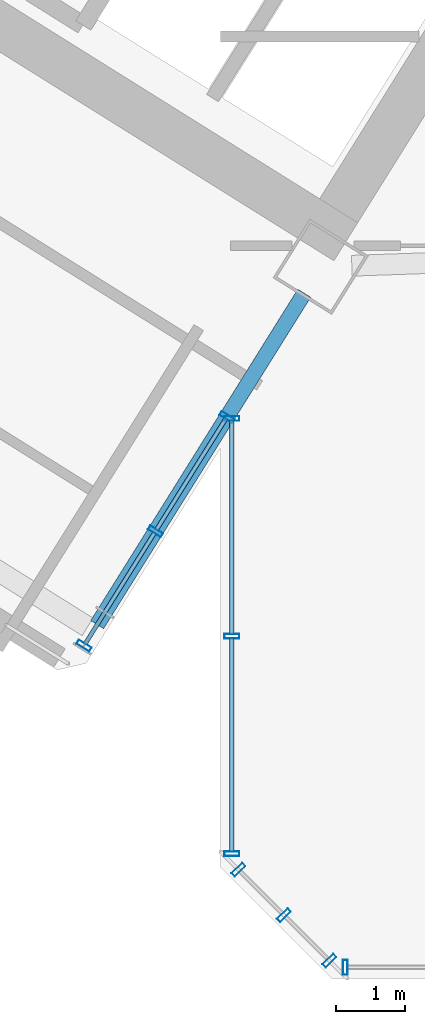
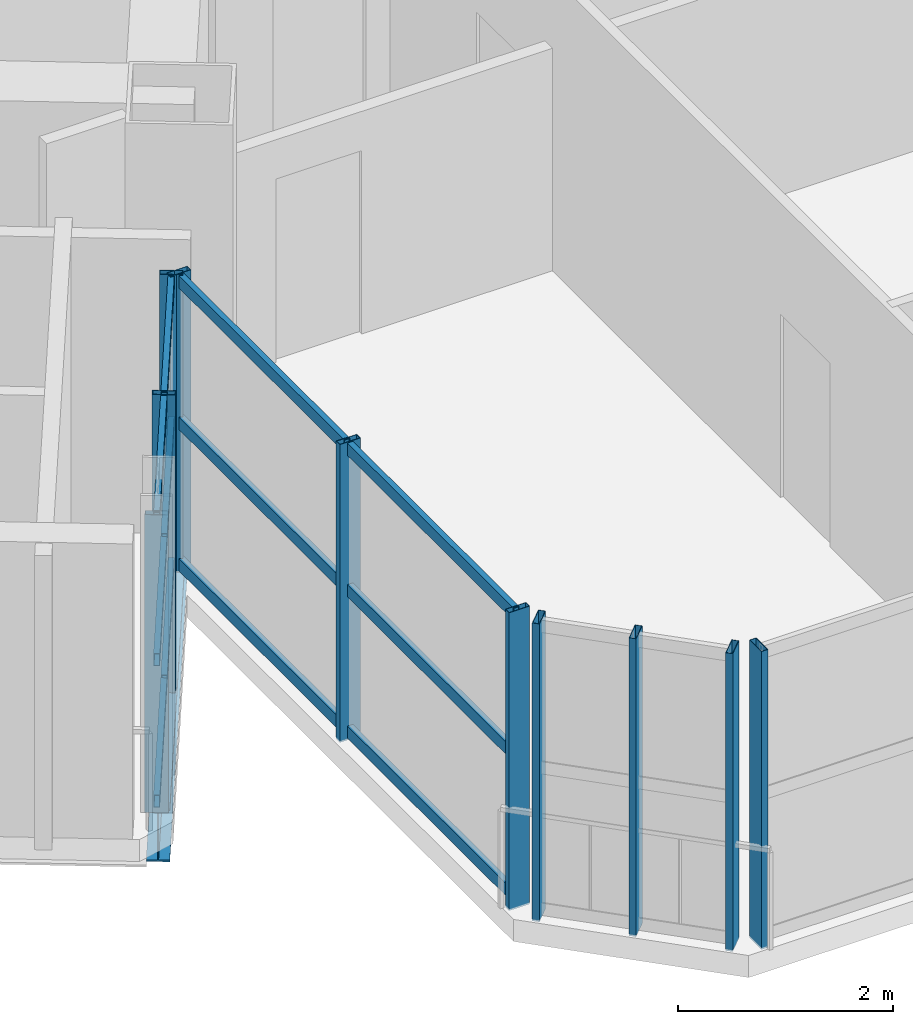
# One storey, part 5 of 25: 22 members, 1 beam, 4 elements without a shape of their own.
"""IFC4 building model written with IfcOpenShell, lengths in metres."""

import ifcopenshell
import ifcopenshell.guid

model = None  # the IFC model being written
_history = None  # IfcOwnerHistory: only IFC2X3 demands one
_inside = {}  # id of a spatial element -> (the spatial element, [elements in it])
_under = {}  # id of a project, library or spatial element -> (it, [spatial elements below it])
_declared = {}  # id of a project -> (the project, [libraries it declares])
_typed = {}  # id of a type object -> (the type object, [elements of that type])
_made_of = {}  # id of a material, layer set ... -> (it, [elements and type objects made of it])


def new_model(schema):
    """Start an empty IFC model of exactly this schema.

    Asked for "IFC4X3", IfcOpenShell would pick the latest addendum, in which some entities
    have other attributes; the version numbers below select the first issue.
    IFC2X3 requires an IfcOwnerHistory on every rooted entity: one is made here for all.
    """
    global model, _history
    if schema == "IFC4X3":
        model = ifcopenshell.file(schema_version=(4, 3, 0, 0))
    else:
        model = ifcopenshell.file(schema=schema)
    _inside.clear()
    _under.clear()
    _declared.clear()
    _typed.clear()
    _made_of.clear()
    _history = None
    if model.schema == "IFC2X3":
        org = make("IfcOrganization", Name="unknown")
        user = make(
            "IfcPersonAndOrganization",
            ThePerson=make("IfcPerson", FamilyName="unknown"),
            TheOrganization=org,
        )
        app = make(
            "IfcApplication",
            ApplicationDeveloper=org,
            Version="unknown",
            ApplicationFullName="unknown",
            ApplicationIdentifier="unknown",
        )
        _history = make(
            "IfcOwnerHistory",
            OwningUser=user,
            OwningApplication=app,
            ChangeAction="ADDED",
            CreationDate=0,
        )
    return model


def make(cls, **values):
    """One entity of the class cls with the attributes given. An attribute that is None is left unset."""
    return model.create_entity(
        cls, **{name: value for name, value in values.items() if value is not None}
    )


def rooted(cls, **values):
    """An entity with a GlobalId (a new one), such as an element, a storey or a relation."""
    return make(cls, GlobalId=ifcopenshell.guid.new(), OwnerHistory=_history, **values)


def si_unit(unit_type, name, prefix=None):
    """IfcSIUnit, for example si_unit("LENGTHUNIT", "METRE", prefix="MILLI")."""
    return make("IfcSIUnit", UnitType=unit_type, Prefix=prefix, Name=name)


def assignment(units):
    """IfcUnitAssignment: the units of a project."""
    return None if units is None else make("IfcUnitAssignment", Units=units)


def point(xyz):
    """IfcCartesianPoint."""
    return None if xyz is None else make("IfcCartesianPoint", Coordinates=xyz)


def direction(xyz):
    """IfcDirection."""
    return None if xyz is None else make("IfcDirection", DirectionRatios=xyz)


def frame(location, z_axis=None, x_axis=None):
    """IfcAxis2Placement3D, a coordinate frame: its origin and axes. An axis left out is left unset."""
    return make(
        "IfcAxis2Placement3D",
        Location=point(location),
        Axis=direction(z_axis),
        RefDirection=direction(x_axis),
    )


def frame_2d(location, x_axis=None):
    """IfcAxis2Placement2D, a coordinate frame in the plane: its origin and x axis."""
    return make(
        "IfcAxis2Placement2D", Location=point(location), RefDirection=direction(x_axis)
    )


def origin():
    """The frame at (0, 0, 0) with its axes left unset."""
    return frame((0.0, 0.0, 0.0))


def origin_2d():
    """The frame at (0, 0) in the plane with its x axis left unset."""
    return frame_2d((0.0, 0.0))


def place(relative_to, where):
    """IfcLocalPlacement: puts the frame where relative to a parent placement (None: the world)."""
    return make(
        "IfcLocalPlacement", PlacementRelTo=relative_to, RelativePlacement=where
    )


def context(
    kind, dimensions, precision=None, world=None, true_north=None, identifier=None
):
    """IfcGeometricRepresentationContext, for example the 3D "Model" context."""
    return make(
        "IfcGeometricRepresentationContext",
        ContextIdentifier=identifier,
        ContextType=kind,
        CoordinateSpaceDimension=dimensions,
        Precision=precision,
        WorldCoordinateSystem=world,
        TrueNorth=true_north,
    )


def subcontext(parent, identifier, kind, view, scale=None):
    """IfcGeometricRepresentationSubContext, for example "Body" below "Model"."""
    return make(
        "IfcGeometricRepresentationSubContext",
        ContextIdentifier=identifier,
        ContextType=kind,
        ParentContext=parent,
        TargetScale=scale,
        TargetView=view,
    )


def project(units=None, contexts=None):
    """IfcProject with its units and contexts."""
    return rooted(
        "IfcProject",
        Name="project",
        RepresentationContexts=contexts,
        UnitsInContext=assignment(units),
    )


def spatial(cls, under=None, at=None, **own):
    """A site, building, storey or space (cls), placed at a placement, below another one or the project."""
    s = rooted(cls, ObjectPlacement=at, **own)
    if under is not None:
        _under.setdefault(under.id(), (under, []))[1].append(s)
    return s


def profile(cls, at=None, kind="AREA", **sizes):
    """A parametric profile (cls). Its sizes go by their IFC names, for example OverallWidth=200.0."""
    return make(cls, ProfileType=kind, Position=at, **sizes)


def hollow_rectangle(**sizes):
    """IfcRectangleHollowProfileDef."""
    return profile("IfcRectangleHollowProfileDef", **sizes)


def i_section(**sizes):
    """IfcIShapeProfileDef."""
    return profile("IfcIShapeProfileDef", **sizes)


def extrude(swept, where, along, depth):
    """IfcExtrudedAreaSolid: the profile swept, set in the frame where, extruded along a direction by depth."""
    return make(
        "IfcExtrudedAreaSolid",
        SweptArea=swept,
        Position=where,
        ExtrudedDirection=direction(along),
        Depth=depth,
    )


def shape(context_of_items, identifier, shape_type, items):
    """IfcShapeRepresentation: the items that make up one representation, for example the "Body"."""
    return make(
        "IfcShapeRepresentation",
        ContextOfItems=context_of_items,
        RepresentationIdentifier=identifier,
        RepresentationType=shape_type,
        Items=items,
    )


def source(mapping_origin, context_of_items, identifier, shape_type, items):
    """IfcRepresentationMap: a shape defined once, which mapped items show again and again."""
    return make(
        "IfcRepresentationMap",
        MappingOrigin=mapping_origin,
        MappedRepresentation=shape(context_of_items, identifier, shape_type, items),
    )


def transform(
    local_origin,
    x_axis=None,
    y_axis=None,
    z_axis=None,
    scale=None,
    scale2=None,
    scale3=None,
    uniform=True,
):
    """IfcCartesianTransformationOperator3D, or its non-uniform kind. x_axis, y_axis, z_axis: its Axis1, 2, 3."""
    if uniform:
        return make(
            "IfcCartesianTransformationOperator3D",
            Axis1=direction(x_axis),
            Axis2=direction(y_axis),
            LocalOrigin=point(local_origin),
            Scale=scale,
            Axis3=direction(z_axis),
        )
    return make(
        "IfcCartesianTransformationOperator3DnonUniform",
        Axis1=direction(x_axis),
        Axis2=direction(y_axis),
        LocalOrigin=point(local_origin),
        Scale=scale,
        Axis3=direction(z_axis),
        Scale2=scale2,
        Scale3=scale3,
    )


def mapped(mapping_source, mapping_target):
    """IfcMappedItem: shows the shape of a source again, moved by a transform."""
    return make(
        "IfcMappedItem", MappingSource=mapping_source, MappingTarget=mapping_target
    )


def material(Name=None, Category=None):
    """IfcMaterial."""
    return make("IfcMaterial", Name=Name, Category=Category)


def material_profile(
    of_material, cross_section, Name=None, Category=None, Priority=None
):
    """IfcMaterialProfile: a cross section and its material."""
    return make(
        "IfcMaterialProfile",
        Name=Name,
        Material=of_material,
        Profile=cross_section,
        Priority=Priority,
        Category=Category,
    )


def profile_set(profiles, Name=None, composite=None):
    """IfcMaterialProfileSet."""
    return make(
        "IfcMaterialProfileSet",
        Name=Name,
        MaterialProfiles=profiles,
        CompositeProfile=composite,
    )


def made_of(thing, what):
    """Note that an element or type object is made of a material, layer set ...; save() writes the relation."""
    if what is not None:
        _made_of.setdefault(what.id(), (what, []))[1].append(thing)
    return thing


def type_object(cls, material=None, **own):
    """A type object (cls), such as IfcWallType, which elements share."""
    return made_of(rooted(cls, **own), material)


def element(
    cls,
    number,
    at=None,
    inside=None,
    cuts=None,
    type_object=None,
    material=None,
    context=None,
    identifier="Body",
    shape_type=None,
    held_by="IfcProductDefinitionShape",
    body=None,
    shapes=None,
    **own,
):
    """One element of the class cls, such as IfcWall. Its Tag is "e" and its number.

    at: its placement. inside: the storey or other place that contains it. cuts: it is an
    opening in that element (IfcRelVoidsElement). A single representation is given by context,
    identifier, shape_type and body (its items); several are given by shapes. held_by: the class
    of the entity that holds the representations. save() writes the other relations.
    """
    e = rooted(cls, Tag="e%d" % number, ObjectPlacement=at, **own)
    if body is not None:
        shapes = [shape(context, identifier, shape_type, body)]
    if shapes is not None:
        e.Representation = make(held_by, Representations=shapes)
    if inside is not None:
        _inside.setdefault(inside.id(), (inside, []))[1].append(e)
    if cuts is not None:
        rooted(
            "IfcRelVoidsElement", RelatingBuildingElement=cuts, RelatedOpeningElement=e
        )
    if type_object is not None:
        _typed.setdefault(type_object.id(), (type_object, []))[1].append(e)
    return made_of(e, material)


def aggregate(whole, parts):
    """IfcRelAggregates: a whole, such as a stair, and the parts it consists of."""
    return rooted("IfcRelAggregates", RelatingObject=whole, RelatedObjects=parts)


def save(model, path):
    """Write the relations noted so far, then the file.

    IfcRelAggregates (storeys below a building ...), IfcRelContainedInSpatialStructure (elements
    in a storey), IfcRelDefinesByType, IfcRelAssociatesMaterial and IfcRelDeclares: one each for
    every whole, place, type object, material and project.
    """
    for whole, parts in _under.values():
        aggregate(whole, parts)
    for where, things in _inside.values():
        rooted(
            "IfcRelContainedInSpatialStructure",
            RelatedElements=things,
            RelatingStructure=where,
        )
    for kind, things in _typed.values():
        rooted("IfcRelDefinesByType", RelatedObjects=things, RelatingType=kind)
    for what, things in _made_of.values():
        rooted("IfcRelAssociatesMaterial", RelatedObjects=things, RelatingMaterial=what)
    for by, libraries in _declared.values():
        rooted("IfcRelDeclares", RelatingContext=by, RelatedDefinitions=libraries)
    model.write(path)


model = new_model("IFC4")

# Units and contexts
model_context = context("Model", 3, precision=1e-05, world=origin(), true_north=direction((0.0, 1.0)))
body_context = subcontext(model_context, "Body", "Model", "MODEL_VIEW")
ifc_project = project(units=[si_unit("LENGTHUNIT", "METRE"), si_unit("AREAUNIT", "SQUARE_METRE"), si_unit("VOLUMEUNIT", "CUBIC_METRE"), si_unit("PLANEANGLEUNIT", "RADIAN"), si_unit("MASSUNIT", "GRAM", prefix="KILO")], contexts=[model_context])

# Site, building, storey
site_placement = place(None, origin())
site = spatial("IfcSite", under=ifc_project, at=site_placement, CompositionType="ELEMENT")
building_placement = place(site_placement, origin())
building = spatial("IfcBuilding", under=site, at=building_placement, Name="Tlacorven Tower", CompositionType="ELEMENT")
storey_placement = place(building_placement, frame((0.0, 0.0, 52.800048828125)))
storey = spatial("IfcBuildingStorey", under=building, at=storey_placement, Name="L13", CompositionType="ELEMENT", Elevation=52.800048828125)

# Beam
ifc_material_1 = material(Name="Steel S355J2", Category="steel")
ifc_material_profile_1 = material_profile(ifc_material_1, i_section(OverallWidth=0.219970703125, OverallDepth=0.60009765625, WebThickness=0.011962890625, FlangeThickness=0.01904296875, at=origin_2d()), Name="IPE 600")
ifc_profile_set_1 = profile_set([ifc_material_profile_1], Name="Steel S355J2")
beam_type = type_object("IfcBeamType", Name="BM-TWR-600", PredefinedType="BEAM", material=ifc_profile_set_1)
shared_shape_1 = source(origin(), body_context, "Body", "SweptSolid", [
    extrude(i_section(OverallWidth=0.219970703125, OverallDepth=0.60009765625, WebThickness=0.011962890625, FlangeThickness=0.01904296875, at=origin_2d()), origin(), (0.0, 0.0, 1.0), 5.64990234375),
])
beam_placement = place(storey_placement, frame((32.8076171875, 11.705322265625, -0.550048828125), z_axis=(-0.529897948462, -0.848061415356, 0.0), x_axis=(0.848061415356, -0.529897948462, 0.0)))
element("IfcBeam", 1, at=beam_placement, inside=storey, type_object=beam_type, Name="L13 beam BM-L13-WT1-2", PredefinedType="BEAM", context=body_context, shape_type="MappedRepresentation", body=[
    mapped(shared_shape_1, transform((0.0, 0.0, 0.0), scale=1.0)),
])

# Curtain wall, members
ifc_material_2 = material(Name="Dark solar low-E double glazing in aluminium frame", Category="aluminium")
curtain_wall_type = type_object("IfcCurtainWallType", Name="CW-TWR-LOW", PredefinedType="USERDEFINED", material=ifc_material_2)
curtain_wall_1_placement = place(storey_placement, origin())
curtain_wall_1 = element("IfcCurtainWall", 2, at=curtain_wall_1_placement, inside=storey, type_object=curtain_wall_type, Name="L13 CW-TWR-LOW Curtain Wall 72", ObjectType="UNITISED CURTAIN WALL", PredefinedType="USERDEFINED")
ifc_material_3 = material(Name="Aluminium 6063-T6 anodised", Category="aluminium")
ifc_material_profile_2 = material_profile(ifc_material_3, hollow_rectangle(XDim=0.06005859375, YDim=0.139892578125, WallThickness=0.00390625, at=origin_2d()), Name="ALU TRANSOM 60X140")
ifc_profile_set_2 = profile_set([ifc_material_profile_2], Name="Aluminium 6063-T6 anodised")
member_type_1 = type_object("IfcMemberType", Name="CWT-02", PredefinedType="USERDEFINED", material=ifc_profile_set_2)
shared_shape_2 = source(origin(), body_context, "Body", "SweptSolid", [
    extrude(hollow_rectangle(XDim=0.06005859375, YDim=0.139892578125, WallThickness=0.00390625, at=origin_2d()), origin(), (0.0, 0.0, 1.0), 3.10009765625),
])
member_1_placement = place(storey_placement, frame((31.760009765625, 3.624267578125, 0.070068359375), z_axis=(0.0, 1.0, 0.0), x_axis=(-1.0, 0.0, 0.0)))
member_1 = element("IfcMember", 3, at=member_1_placement, type_object=member_type_1, Name="CW-L13-072 Transom 1", ObjectType="TRANSOM", PredefinedType="USERDEFINED", context=body_context, shape_type="MappedRepresentation", body=[
    mapped(shared_shape_2, transform((0.0, 0.0, 0.0), scale=1.0)),
])
member_2_placement = place(storey_placement, frame((31.760009765625, 3.624267578125, 1.675048828125), z_axis=(0.0, 1.0, 0.0), x_axis=(-1.0, 0.0, 0.0)))
member_2 = element("IfcMember", 4, at=member_2_placement, type_object=member_type_1, Name="CW-L13-072 Transom 2", ObjectType="TRANSOM", PredefinedType="USERDEFINED", context=body_context, shape_type="MappedRepresentation", body=[
    mapped(shared_shape_2, transform((0.0, 0.0, 0.0), scale=1.0)),
])
member_3_placement = place(storey_placement, frame((31.760009765625, 3.624267578125, 3.280029296875), z_axis=(0.0, 1.0, 0.0), x_axis=(-1.0, 0.0, 0.0)))
member_3 = element("IfcMember", 5, at=member_3_placement, type_object=member_type_1, Name="CW-L13-072 Transom 3", ObjectType="TRANSOM", PredefinedType="USERDEFINED", context=body_context, shape_type="MappedRepresentation", body=[
    mapped(shared_shape_2, transform((0.0, 0.0, 0.0), scale=1.0)),
])
member_4_placement = place(storey_placement, frame((31.760009765625, 6.7705078125, 0.070068359375), z_axis=(0.0, 1.0, 0.0), x_axis=(-1.0, 0.0, 0.0)))
member_4 = element("IfcMember", 6, at=member_4_placement, type_object=member_type_1, Name="CW-L13-072 Transom 4", ObjectType="TRANSOM", PredefinedType="USERDEFINED", context=body_context, shape_type="MappedRepresentation", body=[
    mapped(shared_shape_2, transform((0.0, 0.0, 0.0), scale=1.0)),
])
member_5_placement = place(storey_placement, frame((31.760009765625, 6.7705078125, 1.675048828125), z_axis=(0.0, 1.0, 0.0), x_axis=(-1.0, 0.0, 0.0)))
member_5 = element("IfcMember", 7, at=member_5_placement, type_object=member_type_1, Name="CW-L13-072 Transom 5", ObjectType="TRANSOM", PredefinedType="USERDEFINED", context=body_context, shape_type="MappedRepresentation", body=[
    mapped(shared_shape_2, transform((0.0, 0.0, 0.0), scale=1.0)),
])
member_6_placement = place(storey_placement, frame((31.760009765625, 6.7705078125, 3.280029296875), z_axis=(0.0, 1.0, 0.0), x_axis=(-1.0, 0.0, 0.0)))
member_6 = element("IfcMember", 8, at=member_6_placement, type_object=member_type_1, Name="CW-L13-072 Transom 6", ObjectType="TRANSOM", PredefinedType="USERDEFINED", context=body_context, shape_type="MappedRepresentation", body=[
    mapped(shared_shape_2, transform((0.0, 0.0, 0.0), scale=1.0)),
])

curtain_wall_2_placement = place(storey_placement, origin())
curtain_wall_2 = element("IfcCurtainWall", 9, at=curtain_wall_2_placement, inside=storey, type_object=curtain_wall_type, Name="L13 CW-TWR-LOW Curtain Wall 73", ObjectType="UNITISED CURTAIN WALL", PredefinedType="USERDEFINED")
shared_shape_3 = source(origin(), body_context, "Body", "SweptSolid", [
    extrude(hollow_rectangle(XDim=0.06005859375, YDim=0.139892578125, WallThickness=0.00390625, at=origin_2d()), origin(), (0.0, 0.0, 1.0), 1.902587890625),
])
member_7_placement = place(storey_placement, frame((31.67626953125, 9.894775390625, 0.070068359375), z_axis=(-0.529848980307, -0.848092010378, 0.0), x_axis=(0.848092010378, -0.529848980307, 0.0)))
member_7 = element("IfcMember", 10, at=member_7_placement, type_object=member_type_1, Name="CW-L13-073 Transom 1", ObjectType="TRANSOM", PredefinedType="USERDEFINED", context=body_context, shape_type="MappedRepresentation", body=[
    mapped(shared_shape_3, transform((0.0, 0.0, 0.0), scale=1.0)),
])
member_8_placement = place(storey_placement, frame((31.67626953125, 9.894775390625, 1.675048828125), z_axis=(-0.529848980307, -0.848092010378, 0.0), x_axis=(0.848092010378, -0.529848980307, 0.0)))
member_8 = element("IfcMember", 11, at=member_8_placement, type_object=member_type_1, Name="CW-L13-073 Transom 2", ObjectType="TRANSOM", PredefinedType="USERDEFINED", context=body_context, shape_type="MappedRepresentation", body=[
    mapped(shared_shape_3, transform((0.0, 0.0, 0.0), scale=1.0)),
])
member_9_placement = place(storey_placement, frame((31.67626953125, 9.894775390625, 3.280029296875), z_axis=(-0.529848980307, -0.848092010378, 0.0), x_axis=(0.848092010378, -0.529848980307, 0.0)))
member_9 = element("IfcMember", 12, at=member_9_placement, type_object=member_type_1, Name="CW-L13-073 Transom 3", ObjectType="TRANSOM", PredefinedType="USERDEFINED", context=body_context, shape_type="MappedRepresentation", body=[
    mapped(shared_shape_3, transform((0.0, 0.0, 0.0), scale=1.0)),
])
shared_shape_4 = source(origin(), body_context, "Body", "SweptSolid", [
    extrude(hollow_rectangle(XDim=0.06005859375, YDim=0.139892578125, WallThickness=0.00390625, at=origin_2d()), origin(), (0.0, 0.0, 1.0), 1.90234375),
])
member_10_placement = place(storey_placement, frame((30.643798828125, 8.242431640625, 0.070068359375), z_axis=(-0.52990664903, -0.84805597888, 0.0), x_axis=(0.84805597888, -0.52990664903, 0.0)))
member_10 = element("IfcMember", 13, at=member_10_placement, type_object=member_type_1, Name="CW-L13-073 Transom 4", ObjectType="TRANSOM", PredefinedType="USERDEFINED", context=body_context, shape_type="MappedRepresentation", body=[
    mapped(shared_shape_4, transform((0.0, 0.0, 0.0), scale=1.0)),
])
member_11_placement = place(storey_placement, frame((30.643798828125, 8.242431640625, 1.675048828125), z_axis=(-0.52990664903, -0.84805597888, 0.0), x_axis=(0.84805597888, -0.52990664903, 0.0)))
member_11 = element("IfcMember", 14, at=member_11_placement, type_object=member_type_1, Name="CW-L13-073 Transom 5", ObjectType="TRANSOM", PredefinedType="USERDEFINED", context=body_context, shape_type="MappedRepresentation", body=[
    mapped(shared_shape_4, transform((0.0, 0.0, 0.0), scale=1.0)),
])
member_12_placement = place(storey_placement, frame((30.643798828125, 8.242431640625, 3.280029296875), z_axis=(-0.52990664903, -0.84805597888, 0.0), x_axis=(0.84805597888, -0.52990664903, 0.0)))
member_12 = element("IfcMember", 15, at=member_12_placement, type_object=member_type_1, Name="CW-L13-073 Transom 6", ObjectType="TRANSOM", PredefinedType="USERDEFINED", context=body_context, shape_type="MappedRepresentation", body=[
    mapped(shared_shape_4, transform((0.0, 0.0, 0.0), scale=1.0)),
])

# Curtain wall, member
curtain_wall_3_placement = place(storey_placement, origin())
curtain_wall_3 = element("IfcCurtainWall", 16, at=curtain_wall_3_placement, inside=storey, type_object=curtain_wall_type, Name="L13 CW-TWR-LOW Curtain Wall 70", ObjectType="UNITISED CURTAIN WALL", PredefinedType="USERDEFINED")
ifc_material_profile_3 = material_profile(ifc_material_3, hollow_rectangle(XDim=0.070068359375, YDim=0.219970703125, WallThickness=0.0048828125, at=origin_2d()), Name="ALU MULLION 70X220")
ifc_profile_set_3 = profile_set([ifc_material_profile_3], Name="Aluminium 6063-T6 anodised")
member_type_2 = type_object("IfcMemberType", Name="CWM-01", PredefinedType="MULLION", material=ifc_profile_set_3)
shared_shape_5 = source(origin(), body_context, "Body", "SweptSolid", [
    extrude(hollow_rectangle(XDim=0.070068359375, YDim=0.219970703125, WallThickness=0.0048828125, at=origin_2d()), origin(), (0.0, 0.0, 1.0), 3.3798828125),
])
member_13_placement = place(storey_placement, frame((33.4013671875, 1.9599609375, -0.02001953125), z_axis=(0.0, 0.0, 1.0), x_axis=(-1.0, 0.0, 0.0)))
member_13 = element("IfcMember", 17, at=member_13_placement, type_object=member_type_2, Name="CW-L13-070 Mullion 4", PredefinedType="MULLION", context=body_context, shape_type="MappedRepresentation", body=[
    mapped(shared_shape_5, transform((0.0, 0.0, 0.0), scale=1.0)),
])
aggregate(curtain_wall_3, [member_13])

# Curtain wall, members
curtain_wall_4_placement = place(storey_placement, origin())
curtain_wall_4 = element("IfcCurtainWall", 18, at=curtain_wall_4_placement, inside=storey, type_object=curtain_wall_type, Name="L13 CW-TWR-LOW Curtain Wall 71", ObjectType="UNITISED CURTAIN WALL", PredefinedType="USERDEFINED")
member_14_placement = place(storey_placement, frame((33.1708984375, 2.055419921875, -0.02001953125), z_axis=(0.0, 0.0, 1.0), x_axis=(-0.707106781187, 0.707106781187, 0.0)))
member_14 = element("IfcMember", 19, at=member_14_placement, type_object=member_type_2, Name="CW-L13-071 Mullion 1", PredefinedType="MULLION", context=body_context, shape_type="MappedRepresentation", body=[
    mapped(shared_shape_5, transform((0.0, 0.0, 0.0), scale=1.0)),
])
member_15_placement = place(storey_placement, frame((32.51318359375, 2.713134765625, -0.02001953125), z_axis=(0.0, 0.0, 1.0), x_axis=(-0.707106781187, 0.707106781187, 0.0)))
member_15 = element("IfcMember", 20, at=member_15_placement, type_object=member_type_2, Name="CW-L13-071 Mullion 2", PredefinedType="MULLION", context=body_context, shape_type="MappedRepresentation", body=[
    mapped(shared_shape_5, transform((0.0, 0.0, 0.0), scale=1.0)),
])
member_16_placement = place(storey_placement, frame((31.85546875, 3.370849609375, -0.02001953125), z_axis=(0.0, 0.0, 1.0), x_axis=(-0.707106781187, 0.707106781187, 0.0)))
member_16 = element("IfcMember", 21, at=member_16_placement, type_object=member_type_2, Name="CW-L13-071 Mullion 3", PredefinedType="MULLION", context=body_context, shape_type="MappedRepresentation", body=[
    mapped(shared_shape_5, transform((0.0, 0.0, 0.0), scale=1.0)),
])
aggregate(curtain_wall_4, [member_14, member_15, member_16])

# Member
member_17_placement = place(storey_placement, frame((31.760009765625, 3.601318359375, -0.02001953125), z_axis=(0.0, 0.0, 1.0), x_axis=(0.0, 1.0, 0.0)))
member_17 = element("IfcMember", 22, at=member_17_placement, type_object=member_type_2, Name="CW-L13-072 Mullion 1", PredefinedType="MULLION", context=body_context, shape_type="MappedRepresentation", body=[
    mapped(shared_shape_5, transform((0.0, 0.0, 0.0), scale=1.0)),
])

member_18_placement = place(storey_placement, frame((31.760009765625, 6.74755859375, -0.02001953125), z_axis=(0.0, 0.0, 1.0), x_axis=(0.0, 1.0, 0.0)))
member_18 = element("IfcMember", 23, at=member_18_placement, type_object=member_type_2, Name="CW-L13-072 Mullion 2", PredefinedType="MULLION", context=body_context, shape_type="MappedRepresentation", body=[
    mapped(shared_shape_5, transform((0.0, 0.0, 0.0), scale=1.0)),
])

member_19_placement = place(storey_placement, frame((31.760009765625, 9.8935546875, -0.02001953125), z_axis=(0.0, 0.0, 1.0), x_axis=(0.0, 1.0, 0.0)))
member_19 = element("IfcMember", 24, at=member_19_placement, type_object=member_type_2, Name="CW-L13-072 Mullion 3", PredefinedType="MULLION", context=body_context, shape_type="MappedRepresentation", body=[
    mapped(shared_shape_5, transform((0.0, 0.0, 0.0), scale=1.0)),
])

aggregate(curtain_wall_1, [member_17, member_18, member_19, member_1, member_2, member_3, member_4, member_5, member_6])

member_20_placement = place(storey_placement, frame((31.6884765625, 9.9140625, -0.02001953125), z_axis=(0.0, 0.0, 1.0), x_axis=(-0.529918710919, -0.848048441905, 0.0)))
member_20 = element("IfcMember", 25, at=member_20_placement, type_object=member_type_2, Name="CW-L13-073 Mullion 1", PredefinedType="MULLION", context=body_context, shape_type="MappedRepresentation", body=[
    mapped(shared_shape_5, transform((0.0, 0.0, 0.0), scale=1.0)),
])

member_21_placement = place(storey_placement, frame((30.656005859375, 8.261962890625, -0.02001953125), z_axis=(0.0, 0.0, 1.0), x_axis=(-0.529918710919, -0.848048441905, 0.0)))
member_21 = element("IfcMember", 26, at=member_21_placement, type_object=member_type_2, Name="CW-L13-073 Mullion 2", PredefinedType="MULLION", context=body_context, shape_type="MappedRepresentation", body=[
    mapped(shared_shape_5, transform((0.0, 0.0, 0.0), scale=1.0)),
])

member_22_placement = place(storey_placement, frame((29.62353515625, 6.609619140625, -0.02001953125), z_axis=(0.0, 0.0, 1.0), x_axis=(-0.529918710919, -0.848048441905, 0.0)))
member_22 = element("IfcMember", 27, at=member_22_placement, type_object=member_type_2, Name="CW-L13-073 Mullion 3", PredefinedType="MULLION", context=body_context, shape_type="MappedRepresentation", body=[
    mapped(shared_shape_5, transform((0.0, 0.0, 0.0), scale=1.0)),
])

aggregate(curtain_wall_2, [member_20, member_21, member_22, member_7, member_8, member_9, member_10, member_11, member_12])

save(model, "model.ifc")
